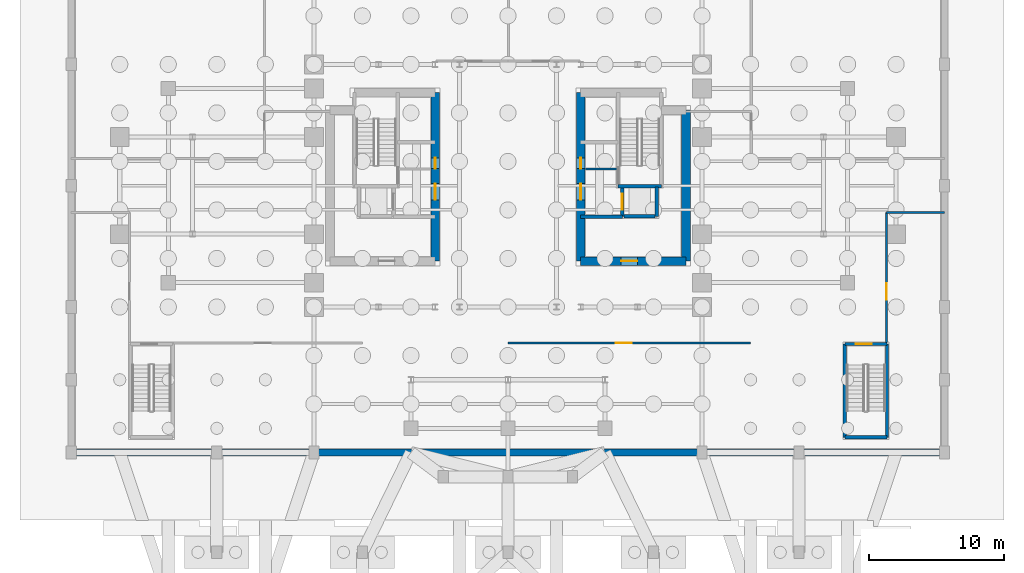
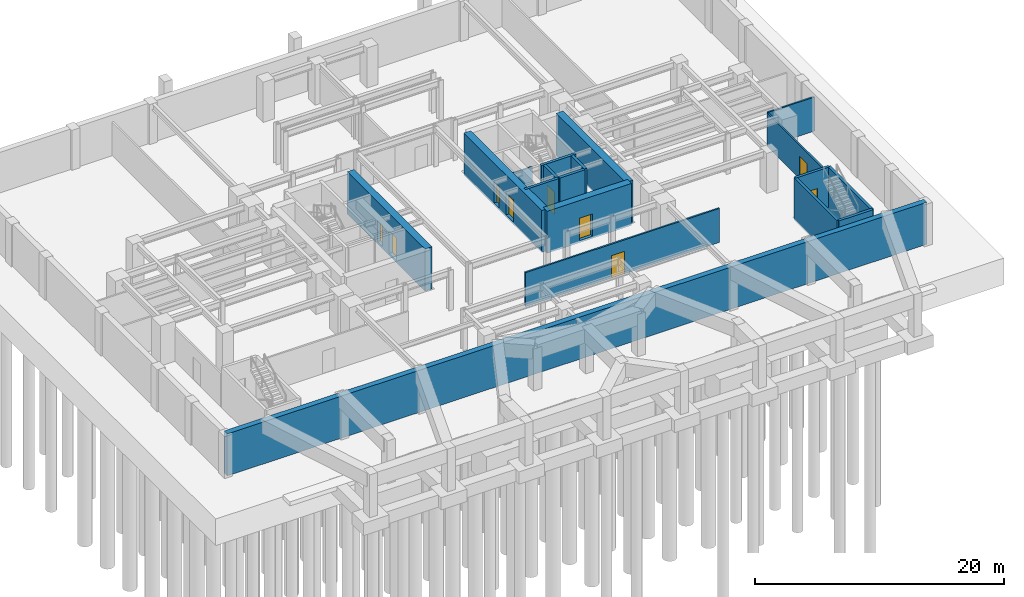
# One storey, part 8 of 13: 18 walls, 9 doors, 9 openings.
"""IFC4 building model written with IfcOpenShell, lengths in metres."""

from ifc_helpers import new_model, si_unit, direction, frame, frame_2d, origin, place, context, subcontext, project, spatial, rectangle, extrude, source, transform, mapped, material, layer, layer_set, type_object, element, fill, save


model = new_model("IFC4")

# Units and contexts
model_context = context("Model", 3, precision=1e-05, world=origin(), true_north=direction((0.0, 1.0)))
body_context = subcontext(model_context, "Body", "Model", "MODEL_VIEW")
ifc_project = project(units=[si_unit("LENGTHUNIT", "METRE"), si_unit("AREAUNIT", "SQUARE_METRE"), si_unit("VOLUMEUNIT", "CUBIC_METRE"), si_unit("PLANEANGLEUNIT", "RADIAN"), si_unit("MASSUNIT", "GRAM", prefix="KILO")], contexts=[model_context])

# Site, building, storey
site_placement = place(None, origin())
site = spatial("IfcSite", under=ifc_project, at=site_placement, CompositionType="ELEMENT")
building_placement = place(site_placement, origin())
building = spatial("IfcBuilding", under=site, at=building_placement, Name="Keilestroom Media Tower", CompositionType="ELEMENT")
storey_placement = place(building_placement, frame((0.0, 0.0, -8.39990234375)))
storey = spatial("IfcBuildingStorey", under=building, at=storey_placement, Name="B2", CompositionType="ELEMENT", Elevation=-8.39990234375)

# Walls
ifc_material_1 = material(Name="Concrete C50/60", Category="concrete")
ifc_layer_1 = layer(ifc_material_1, 0.5)
ifc_layer_set_1 = layer_set([ifc_layer_1], Name="Concrete C50/60")
wall_type_1 = type_object("IfcWallType", Name="Basement-Retaining-Wall-500", PredefinedType="USERDEFINED", material=ifc_layer_set_1)
wall_1_placement = place(storey_placement, frame((-32.39990234375, -19.800048828125, -0.2001953125), z_axis=(0.0, 0.0, 1.0), x_axis=(1.0, 0.0, 0.0)))
element("IfcWall", 1, at=wall_1_placement, inside=storey, type_object=wall_type_1, Name="B2 Perimeter Retaining Wall S", ObjectType="RETAININGWALL", PredefinedType="USERDEFINED", context=body_context, shape_type="SweptSolid", body=[
    extrude(rectangle(XDim=64.7998046875, YDim=0.5, at=frame_2d((32.39990234375, 0.0))), origin(), (0.0, 0.0, 1.0), 4.1201171875),
])
ifc_material_2 = material(Name="Gypsum Plasterboard & Steel Stud", Category="steel")
ifc_layer_2 = layer(ifc_material_2, 0.14990234375)
ifc_layer_set_2 = layer_set([ifc_layer_2], Name="Gypsum Plasterboard & Steel Stud")
wall_type_2 = type_object("IfcWallType", Name="Interior-Partition-Wall-150", PredefinedType="PARTITIONING", material=ifc_layer_set_2)
wall_2_placement = place(storey_placement, frame((5.75, 1.239990234375, 0.0), z_axis=(0.0, 0.0, 1.0), x_axis=(1.0, 0.0, 0.0)))
element("IfcWall", 2, at=wall_2_placement, inside=storey, type_object=wall_type_2, Name="B2 Interior Wall WP-B2-FFE-TOP", PredefinedType="PARTITIONING", context=body_context, shape_type="SweptSolid", body=[
    extrude(rectangle(XDim=2.389892578125, YDim=0.14990234375, at=frame_2d((1.19482421875, 0.0))), origin(), (0.0, 0.0, 1.0), 3.02001953125),
])
wall_3_placement = place(storey_placement, frame((28.080078125, -2.0, 0.0), z_axis=(0.0, 0.0, 1.0), x_axis=(1.0, 0.0, 0.0)))
element("IfcWall", 3, at=wall_3_placement, inside=storey, type_object=wall_type_2, Name="B2 Interior Wall WP-B2-B2-HVSW-N", PredefinedType="PARTITIONING", context=body_context, shape_type="SweptSolid", body=[
    extrude(rectangle(XDim=4.31982421875, YDim=0.14990234375, at=frame_2d((2.159912109375, 0.0))), origin(), (0.0, 0.0, 1.0), 3.329833984375),
])

# Wall, opening, door
wall_4_placement = place(storey_placement, frame((0.0, -11.679931640625, 0.0), z_axis=(0.0, 0.0, 1.0), x_axis=(1.0, 0.0, 0.0)))
wall_4 = element("IfcWall", 4, at=wall_4_placement, inside=storey, type_object=wall_type_2, Name="B2 Interior Wall WP-B2-B2-CHLR", PredefinedType="PARTITIONING", context=body_context, shape_type="SweptSolid", body=[
    extrude(rectangle(XDim=18.0, YDim=0.14990234375, at=frame_2d((9.0, 0.0))), origin(), (0.0, 0.0, 1.0), 3.329833984375),
])
opening_1_placement = place(wall_4_placement, frame((8.0, 0.0, 0.0)))
opening_1 = element("IfcOpeningElement", 5, at=opening_1_placement, cuts=wall_4, Name="Opening DI-02", PredefinedType="OPENING", context=body_context, shape_type="SweptSolid", body=[
    extrude(rectangle(XDim=1.199951171875, YDim=2.199951171875, at=frame_2d((0.60009765625, 1.10009765625))), frame((0.0, 0.0849609375, 0.0), z_axis=(0.0, -1.0, 0.0), x_axis=(1.0, 0.0, 0.0)), (0.0, 0.0, 1.0), 0.169921875),
])
ifc_material_3 = material(Name="Powder-Coated Steel Fire Leaf", Category="steel")
door_type_1 = type_object("IfcDoorType", Name="Interior-Compartment-Fire-Door-DI-02", OperationType="NOTDEFINED", PredefinedType="DOOR", material=ifc_material_3)
shared_shape_1 = source(origin(), body_context, "Body", "SweptSolid", [
    extrude(rectangle(XDim=1.199951171875, YDim=2.199951171875, at=frame_2d((0.60009765625, 1.10009765625))), frame((0.0, 0.02490234375, 0.0), z_axis=(0.0, -1.0, 0.0), x_axis=(1.0, 0.0, 0.0)), (0.0, 0.0, 1.0), 0.050048828125),
])
door_1_placement = place(opening_1_placement, origin())
door_1 = element("IfcDoor", 6, at=door_1_placement, inside=storey, type_object=door_type_1, Name="B2 Interior Door DI-B2-B2-CHLR", OperationType="SINGLE_SWING_LEFT", OverallHeight=2.199951171875, OverallWidth=1.199951171875, PredefinedType="DOOR", context=body_context, shape_type="MappedRepresentation", body=[
    mapped(shared_shape_1, transform((0.0, 0.0, 0.0), x_axis=(1.0, 0.0, 0.0), y_axis=(0.0, 1.0, 0.0), z_axis=(0.0, 0.0, 1.0), scale=1.0)),
])
fill(opening_1, door_1)

wall_5_placement = place(storey_placement, frame((28.080078125, -11.64990234375, 0.0), z_axis=(0.0, 0.0, 1.0), x_axis=(0.0, 1.0, 0.0)))
wall_5 = element("IfcWall", 7, at=wall_5_placement, inside=storey, type_object=wall_type_2, Name="B2 Interior Wall WP-B2-B2-HVSW", PredefinedType="PARTITIONING", context=body_context, shape_type="SweptSolid", body=[
    extrude(rectangle(XDim=9.64990234375, YDim=0.14990234375, at=frame_2d((4.824951171875, 0.0))), origin(), (0.0, 0.0, 1.0), 3.27001953125),
])
opening_2_placement = place(wall_5_placement, frame((3.199951171875, 0.0, 0.0)))
opening_2 = element("IfcOpeningElement", 8, at=opening_2_placement, cuts=wall_5, Name="Opening DI-02", PredefinedType="OPENING", context=body_context, shape_type="SweptSolid", body=[
    extrude(rectangle(XDim=1.199951171875, YDim=2.199951171875, at=frame_2d((0.60009765625, 1.10009765625))), frame((0.0, 0.0849609375, 0.0), z_axis=(0.0, -1.0, 0.0), x_axis=(1.0, 0.0, 0.0)), (0.0, 0.0, 1.0), 0.169921875),
])
door_2_placement = place(opening_2_placement, origin())
door_2 = element("IfcDoor", 9, at=door_2_placement, inside=storey, type_object=door_type_1, Name="B2 Interior Door DI-B2-B2-HVSW", OperationType="SINGLE_SWING_RIGHT", OverallHeight=2.199951171875, OverallWidth=1.199951171875, PredefinedType="DOOR", context=body_context, shape_type="MappedRepresentation", body=[
    mapped(shared_shape_1, transform((0.0, 0.0, 0.0), x_axis=(1.0, 0.0, 0.0), y_axis=(0.0, 1.0, 0.0), z_axis=(0.0, 0.0, 1.0), scale=1.0)),
])
fill(opening_2, door_2)

# Wall, openings, doors
ifc_material_4 = material(Name="Concrete C70/85", Category="concrete")
ifc_layer_3 = layer(ifc_material_4, 0.64990234375)
ifc_layer_set_3 = layer_set([ifc_layer_3], Name="Concrete C70/85")
wall_type_3 = type_object("IfcWallType", Name="Reinforced-Concrete-Core-Shear-Wall-650", PredefinedType="SHEAR", material=ifc_layer_set_3)
wall_6_placement = place(storey_placement, frame((-5.39990234375, -5.60009765625, -0.2001953125), z_axis=(0.0, 0.0, 1.0), x_axis=(0.0, 1.0, 0.0)))
wall_6 = element("IfcWall", 10, at=wall_6_placement, inside=storey, type_object=wall_type_3, Name="B2 Core Shear Wall WL-B2-CORE-W-IN", PredefinedType="SHEAR", context=body_context, shape_type="SweptSolid", body=[
    extrude(rectangle(XDim=12.5, YDim=0.64990234375, at=frame_2d((6.25, 0.0))), origin(), (0.0, 0.0, 1.0), 4.1201171875),
])
opening_3_placement = place(wall_6_placement, frame((4.550048828125, 0.0, 0.199951171875)))
opening_3 = element("IfcOpeningElement", 11, at=opening_3_placement, cuts=wall_6, Name="Opening DI-02", PredefinedType="OPENING", context=body_context, shape_type="SweptSolid", body=[
    extrude(rectangle(XDim=1.199951171875, YDim=2.199951171875, at=frame_2d((0.60009765625, 1.10009765625))), frame((0.0, 0.3349609375, 0.0), z_axis=(0.0, -1.0, 0.0), x_axis=(1.0, 0.0, 0.0)), (0.0, 0.0, 1.0), 0.669921875),
])
opening_4_placement = place(wall_6_placement, frame((6.860107421875, 0.0, 0.199951171875)))
opening_4 = element("IfcOpeningElement", 12, at=opening_4_placement, cuts=wall_6, Name="Opening DI-06", PredefinedType="OPENING", context=body_context, shape_type="SweptSolid", body=[
    extrude(rectangle(XDim=0.800048828125, YDim=2.10009765625, at=frame_2d((0.39990234375, 1.050048828125))), frame((0.0, 0.3349609375, 0.0), z_axis=(0.0, -1.0, 0.0), x_axis=(1.0, 0.0, 0.0)), (0.0, 0.0, 1.0), 0.669921875),
])
door_3_placement = place(opening_3_placement, origin())
door_3 = element("IfcDoor", 13, at=door_3_placement, inside=storey, type_object=door_type_1, Name="B2 W Firefighting Lobby Door", OperationType="SINGLE_SWING_RIGHT", OverallHeight=2.199951171875, OverallWidth=1.199951171875, PredefinedType="DOOR", context=body_context, shape_type="MappedRepresentation", body=[
    mapped(shared_shape_1, transform((0.0, 0.0, 0.0), x_axis=(1.0, 0.0, 0.0), y_axis=(0.0, 1.0, 0.0), z_axis=(0.0, 0.0, 1.0), scale=1.0)),
])
fill(opening_3, door_3)
ifc_material_5 = material(Name="Powder-Coated Steel Service Leaf", Category="steel")
door_type_2 = type_object("IfcDoorType", Name="Interior-Riser-Access-Door-DI-06", OperationType="NOTDEFINED", PredefinedType="DOOR", material=ifc_material_5)
shared_shape_2 = source(origin(), body_context, "Body", "SweptSolid", [
    extrude(rectangle(XDim=0.800048828125, YDim=2.10009765625, at=frame_2d((0.39990234375, 1.050048828125))), frame((0.0, 0.02490234375, 0.0), z_axis=(0.0, -1.0, 0.0), x_axis=(1.0, 0.0, 0.0)), (0.0, 0.0, 1.0), 0.050048828125),
])
door_4_placement = place(opening_4_placement, origin())
door_4 = element("IfcDoor", 14, at=door_4_placement, inside=storey, type_object=door_type_2, Name="B2 West Core Switchroom Door", OperationType="SINGLE_SWING_LEFT", OverallHeight=2.10009765625, OverallWidth=0.800048828125, PredefinedType="DOOR", context=body_context, shape_type="MappedRepresentation", body=[
    mapped(shared_shape_2, transform((0.0, 0.0, 0.0), x_axis=(1.0, 0.0, 0.0), y_axis=(0.0, 1.0, 0.0), z_axis=(0.0, 0.0, 1.0), scale=1.0)),
])
fill(opening_4, door_4)

# Wall
wall_7_placement = place(storey_placement, frame((13.199951171875, -5.60009765625, -0.2001953125), z_axis=(0.0, 0.0, 1.0), x_axis=(0.0, 1.0, 0.0)))
element("IfcWall", 15, at=wall_7_placement, inside=storey, type_object=wall_type_3, Name="B2 Core Shear Wall WL-B2-CORE-E-OUT", PredefinedType="SHEAR", context=body_context, shape_type="SweptSolid", body=[
    extrude(rectangle(XDim=11.2001953125, YDim=0.64990234375, at=frame_2d((5.60009765625, 0.0))), origin(), (0.0, 0.0, 1.0), 4.1201171875),
])

# Wall, openings, doors
wall_8_placement = place(storey_placement, frame((5.39990234375, -5.60009765625, -0.2001953125), z_axis=(0.0, 0.0, 1.0), x_axis=(0.0, 1.0, 0.0)))
wall_8 = element("IfcWall", 16, at=wall_8_placement, inside=storey, type_object=wall_type_3, Name="B2 Core Shear Wall WL-B2-CORE-E-IN", PredefinedType="SHEAR", context=body_context, shape_type="SweptSolid", body=[
    extrude(rectangle(XDim=12.5, YDim=0.64990234375, at=frame_2d((6.25, 0.0))), origin(), (0.0, 0.0, 1.0), 4.1201171875),
])
opening_5_placement = place(wall_8_placement, frame((4.550048828125, 0.0, 0.199951171875)))
opening_5 = element("IfcOpeningElement", 17, at=opening_5_placement, cuts=wall_8, Name="Opening DI-02", PredefinedType="OPENING", context=body_context, shape_type="SweptSolid", body=[
    extrude(rectangle(XDim=1.199951171875, YDim=2.199951171875, at=frame_2d((0.60009765625, 1.10009765625))), frame((0.0, 0.3349609375, 0.0), z_axis=(0.0, -1.0, 0.0), x_axis=(1.0, 0.0, 0.0)), (0.0, 0.0, 1.0), 0.669921875),
])
opening_6_placement = place(wall_8_placement, frame((6.860107421875, 0.0, 0.199951171875)))
opening_6 = element("IfcOpeningElement", 18, at=opening_6_placement, cuts=wall_8, Name="Opening DI-06", PredefinedType="OPENING", context=body_context, shape_type="SweptSolid", body=[
    extrude(rectangle(XDim=0.800048828125, YDim=2.10009765625, at=frame_2d((0.39990234375, 1.050048828125))), frame((0.0, 0.3349609375, 0.0), z_axis=(0.0, -1.0, 0.0), x_axis=(1.0, 0.0, 0.0)), (0.0, 0.0, 1.0), 0.669921875),
])
door_5_placement = place(opening_5_placement, origin())
door_5 = element("IfcDoor", 19, at=door_5_placement, inside=storey, type_object=door_type_1, Name="B2 E Firefighting Lobby Door", OperationType="SINGLE_SWING_LEFT", OverallHeight=2.199951171875, OverallWidth=1.199951171875, PredefinedType="DOOR", context=body_context, shape_type="MappedRepresentation", body=[
    mapped(shared_shape_1, transform((0.0, 0.0, 0.0), x_axis=(1.0, 0.0, 0.0), y_axis=(0.0, 1.0, 0.0), z_axis=(0.0, 0.0, 1.0), scale=1.0)),
])
fill(opening_5, door_5)
door_6_placement = place(opening_6_placement, origin())
door_6 = element("IfcDoor", 20, at=door_6_placement, inside=storey, type_object=door_type_2, Name="B2 East Core Telecom Door", OperationType="SINGLE_SWING_RIGHT", OverallHeight=2.10009765625, OverallWidth=0.800048828125, PredefinedType="DOOR", context=body_context, shape_type="MappedRepresentation", body=[
    mapped(shared_shape_2, transform((0.0, 0.0, 0.0), x_axis=(1.0, 0.0, 0.0), y_axis=(0.0, 1.0, 0.0), z_axis=(0.0, 0.0, 1.0), scale=1.0)),
])
fill(opening_6, door_6)

# Wall, opening, door
wall_9_placement = place(storey_placement, frame((5.39990234375, -5.60009765625, -0.2001953125), z_axis=(0.0, 0.0, 1.0), x_axis=(1.0, 0.0, 0.0)))
wall_9 = element("IfcWall", 21, at=wall_9_placement, inside=storey, type_object=wall_type_3, Name="B2 Core Shear Wall WL-B2-CORE-E-S", PredefinedType="SHEAR", context=body_context, shape_type="SweptSolid", body=[
    extrude(rectangle(XDim=7.800048828125, YDim=0.64990234375, at=frame_2d((3.89990234375, 0.0))), origin(), (0.0, 0.0, 1.0), 4.1201171875),
])
opening_7_placement = place(wall_9_placement, frame((3.0, 0.0, 0.199951171875)))
opening_7 = element("IfcOpeningElement", 22, at=opening_7_placement, cuts=wall_9, Name="Opening DI-02", PredefinedType="OPENING", context=body_context, shape_type="SweptSolid", body=[
    extrude(rectangle(XDim=1.199951171875, YDim=2.199951171875, at=frame_2d((0.60009765625, 1.10009765625))), frame((0.0, 0.3349609375, 0.0), z_axis=(0.0, -1.0, 0.0), x_axis=(1.0, 0.0, 0.0)), (0.0, 0.0, 1.0), 0.669921875),
])
door_7_placement = place(opening_7_placement, origin())
door_7 = element("IfcDoor", 23, at=door_7_placement, inside=storey, type_object=door_type_1, Name="B2 E Passenger Lift Lobby Door", OperationType="SINGLE_SWING_RIGHT", OverallHeight=2.199951171875, OverallWidth=1.199951171875, PredefinedType="DOOR", context=body_context, shape_type="MappedRepresentation", body=[
    mapped(shared_shape_1, transform((0.0, 0.0, 0.0), x_axis=(1.0, 0.0, 0.0), y_axis=(0.0, 1.0, 0.0), z_axis=(0.0, 0.0, 1.0), scale=1.0)),
])
fill(opening_7, door_7)

# Walls
ifc_layer_4 = layer(ifc_material_1, 0.25)
ifc_layer_set_4 = layer_set([ifc_layer_4], Name="Concrete C50/60")
wall_type_4 = type_object("IfcWallType", Name="Reinforced-Concrete-Shaft-Wall-250", PredefinedType="SOLIDWALL", material=ifc_layer_set_4)
wall_10_placement = place(storey_placement, frame((5.39990234375, -2.300048828125, -0.2001953125), z_axis=(0.0, 0.0, 1.0), x_axis=(1.0, 0.0, 0.0)))
element("IfcWall", 24, at=wall_10_placement, inside=storey, type_object=wall_type_4, Name="B2 Core Shear Wall WL-B2-CORE-E-FFS", PredefinedType="SOLIDWALL", context=body_context, shape_type="SweptSolid", body=[
    extrude(rectangle(XDim=3.080078125, YDim=0.25, at=frame_2d((1.5400390625, 0.0))), origin(), (0.0, 0.0, 1.0), 4.1201171875),
])
wall_11_placement = place(storey_placement, frame((8.178955078125, -0.041015625, -0.2001953125), z_axis=(0.0, 0.0, 1.0), x_axis=(1.0, 0.0, 0.0)))
element("IfcWall", 25, at=wall_11_placement, inside=storey, type_object=wall_type_4, Name="B2 Core Shear Wall WL-B2-STW-E-S", PredefinedType="SOLIDWALL", context=body_context, shape_type="SweptSolid", body=[
    extrude(rectangle(XDim=3.2021484375, YDim=0.25, at=frame_2d((1.60107421875, 0.0))), origin(), (0.0, 0.0, 1.0), 4.1201171875),
])
for number, where, z_axis, x_axis, name in (
    (26, (24.9990234375, -18.6708984375, -0.2001953125), (0.0, 0.0, 1.0), (0.0, 1.0, 0.0), "B2 Core Shear Wall WL-B2-ST-4-W"),
    (27, (28.12109375, -18.6708984375, -0.2001953125), (0.0, 0.0, 1.0), (0.0, 1.0, 0.0), "B2 Core Shear Wall WL-B2-ST-4-E"),
):
    element("IfcWall", number, at=place(storey_placement, frame(where, z_axis=z_axis, x_axis=x_axis)), inside=storey, type_object=wall_type_4, Name=name, PredefinedType="SOLIDWALL", context=body_context, shape_type="SweptSolid", body=[
        extrude(rectangle(XDim=6.921875, YDim=0.25, at=frame_2d((3.4609375, 0.0))), origin(), (0.0, 0.0, 1.0), 4.1201171875),
    ])
wall_12_placement = place(storey_placement, frame((24.9990234375, -18.6708984375, -0.2001953125), z_axis=(0.0, 0.0, 1.0), x_axis=(1.0, 0.0, 0.0)))
element("IfcWall", 28, at=wall_12_placement, inside=storey, type_object=wall_type_4, Name="B2 Core Shear Wall WL-B2-ST-4-S", PredefinedType="SOLIDWALL", context=body_context, shape_type="SweptSolid", body=[
    extrude(rectangle(XDim=3.1220703125, YDim=0.25, at=frame_2d((1.56103515625, 0.0))), origin(), (0.0, 0.0, 1.0), 4.1201171875),
])

# Wall, opening, door
wall_13_placement = place(storey_placement, frame((24.9990234375, -11.7490234375, -0.2001953125), z_axis=(0.0, 0.0, 1.0), x_axis=(1.0, 0.0, 0.0)))
wall_13 = element("IfcWall", 29, at=wall_13_placement, inside=storey, type_object=wall_type_4, Name="B2 Core Shear Wall WL-B2-ST-4-N", PredefinedType="SOLIDWALL", context=body_context, shape_type="SweptSolid", body=[
    extrude(rectangle(XDim=3.1220703125, YDim=0.25, at=frame_2d((1.56103515625, 0.0))), origin(), (0.0, 0.0, 1.0), 4.1201171875),
])
opening_8_placement = place(wall_13_placement, frame((0.800048828125, 0.0, 0.199951171875)))
opening_8 = element("IfcOpeningElement", 30, at=opening_8_placement, cuts=wall_13, Name="Opening DI-01S", PredefinedType="OPENING", context=body_context, shape_type="SweptSolid", body=[
    extrude(rectangle(XDim=1.199951171875, YDim=2.199951171875, at=frame_2d((0.60009765625, 1.10009765625))), frame((0.0, 0.135009765625, 0.0), z_axis=(0.0, -1.0, 0.0), x_axis=(1.0, 0.0, 0.0)), (0.0, 0.0, 1.0), 0.27001953125),
])
door_type_3 = type_object("IfcDoorType", Name="Interior-Stair-And-Core-Fire-Door-DI-01", OperationType="NOTDEFINED", PredefinedType="DOOR", material=ifc_material_3)
door_8_placement = place(opening_8_placement, origin())
door_8 = element("IfcDoor", 31, at=door_8_placement, inside=storey, type_object=door_type_3, Name="B2 Podium Stair ST-4 Fire Door", OperationType="SINGLE_SWING_LEFT", OverallHeight=2.199951171875, OverallWidth=1.199951171875, PredefinedType="DOOR", context=body_context, shape_type="MappedRepresentation", body=[
    mapped(shared_shape_1, transform((0.0, 0.0, 0.0), x_axis=(1.0, 0.0, 0.0), y_axis=(0.0, 1.0, 0.0), z_axis=(0.0, 0.0, 1.0), scale=1.0)),
])
fill(opening_8, door_8)

wall_14_placement = place(storey_placement, frame((8.47998046875, -2.280029296875, -0.2001953125), z_axis=(0.0, 0.0, 1.0), x_axis=(0.0, 1.0, 0.0)))
wall_14 = element("IfcWall", 32, at=wall_14_placement, inside=storey, type_object=wall_type_4, Name="B2 Core Shear Wall WL-B2-LSH-FFL-2-W", PredefinedType="SOLIDWALL", context=body_context, shape_type="SweptSolid", body=[
    extrude(rectangle(XDim=2.179931640625, YDim=0.25, at=frame_2d((1.08984375, 0.0))), origin(), (0.0, 0.0, 1.0), 4.1201171875),
])
opening_9_placement = place(wall_14_placement, frame((0.489990234375, 0.0, 0.199951171875)))
opening_9 = element("IfcOpeningElement", 33, at=opening_9_placement, cuts=wall_14, Name="Opening LD-02", PredefinedType="OPENING", context=body_context, shape_type="SweptSolid", body=[
    extrude(rectangle(XDim=1.199951171875, YDim=2.199951171875, at=frame_2d((0.60009765625, 1.10009765625))), frame((0.0, 0.135009765625, 0.0), z_axis=(0.0, -1.0, 0.0), x_axis=(1.0, 0.0, 0.0)), (0.0, 0.0, 1.0), 0.27001953125),
])
ifc_material_6 = material(Name="Brushed Stainless Steel Sliding Leaf", Category="steel")
door_type_4 = type_object("IfcDoorType", Name="Lift-Landing-Sliding-Door-LD-02", OperationType="SLIDING_TO_RIGHT", PredefinedType="DOOR", material=ifc_material_6)
door_9_placement = place(opening_9_placement, origin())
door_9 = element("IfcDoor", 34, at=door_9_placement, inside=storey, type_object=door_type_4, Name="B2 Lift FFL-2 Landing Sliding Door", OperationType="SLIDING_TO_RIGHT", OverallHeight=2.199951171875, OverallWidth=1.199951171875, PredefinedType="DOOR", context=body_context, shape_type="MappedRepresentation", body=[
    mapped(shared_shape_1, transform((0.0, 0.0, 0.0), x_axis=(1.0, 0.0, 0.0), y_axis=(0.0, 1.0, 0.0), z_axis=(0.0, 0.0, 1.0), scale=1.0)),
])
fill(opening_9, door_9)

# Walls
wall_15_placement = place(storey_placement, frame((11.050048828125, -2.280029296875, -0.2001953125), z_axis=(0.0, 0.0, 1.0), x_axis=(0.0, 1.0, 0.0)))
element("IfcWall", 35, at=wall_15_placement, inside=storey, type_object=wall_type_4, Name="B2 Core Shear Wall WL-B2-LSH-FFL-2-E", PredefinedType="SOLIDWALL", context=body_context, shape_type="SweptSolid", body=[
    extrude(rectangle(XDim=2.179931640625, YDim=0.25, at=frame_2d((1.08984375, 0.0))), origin(), (0.0, 0.0, 1.0), 4.1201171875),
])
wall_16_placement = place(storey_placement, frame((8.60888671875, -2.280029296875, -0.2001953125), z_axis=(0.0, 0.0, 1.0), x_axis=(1.0, 0.0, 0.0)))
element("IfcWall", 36, at=wall_16_placement, inside=storey, type_object=wall_type_4, Name="B2 Core Shear Wall WL-B2-LSH-FFL-2-S", PredefinedType="SOLIDWALL", context=body_context, shape_type="SweptSolid", body=[
    extrude(rectangle(XDim=2.31201171875, YDim=0.25, at=frame_2d((1.156005859375, 0.0))), origin(), (0.0, 0.0, 1.0), 4.1201171875),
])

save(model, "model.ifc")
